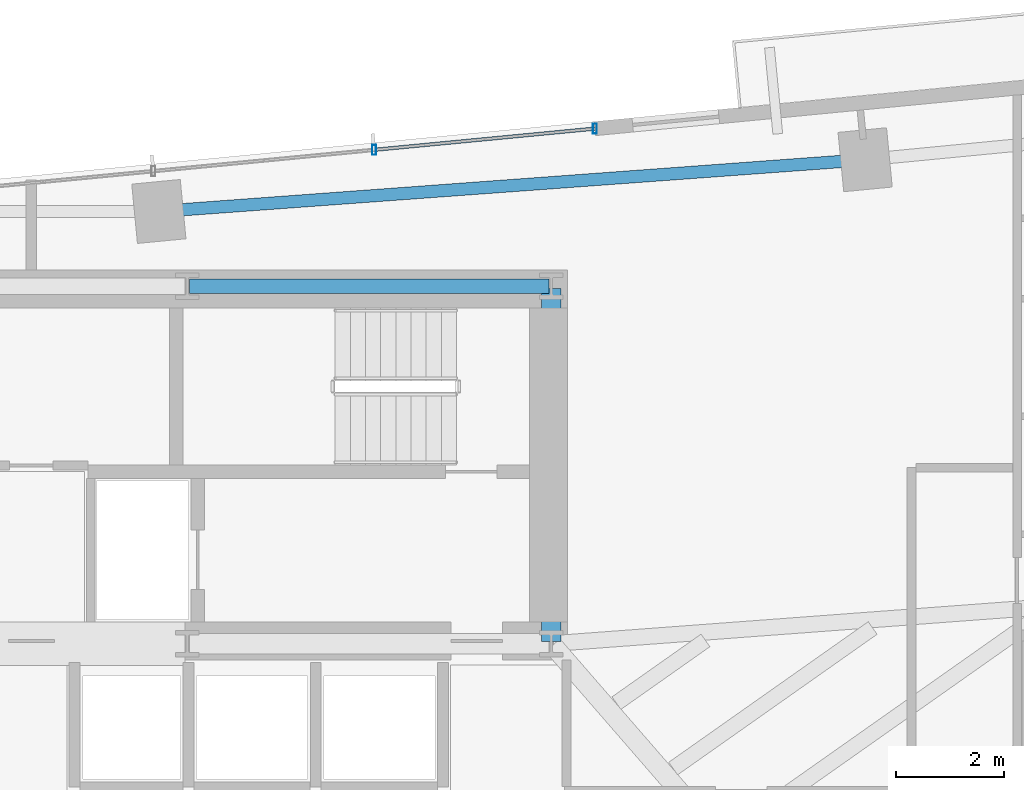
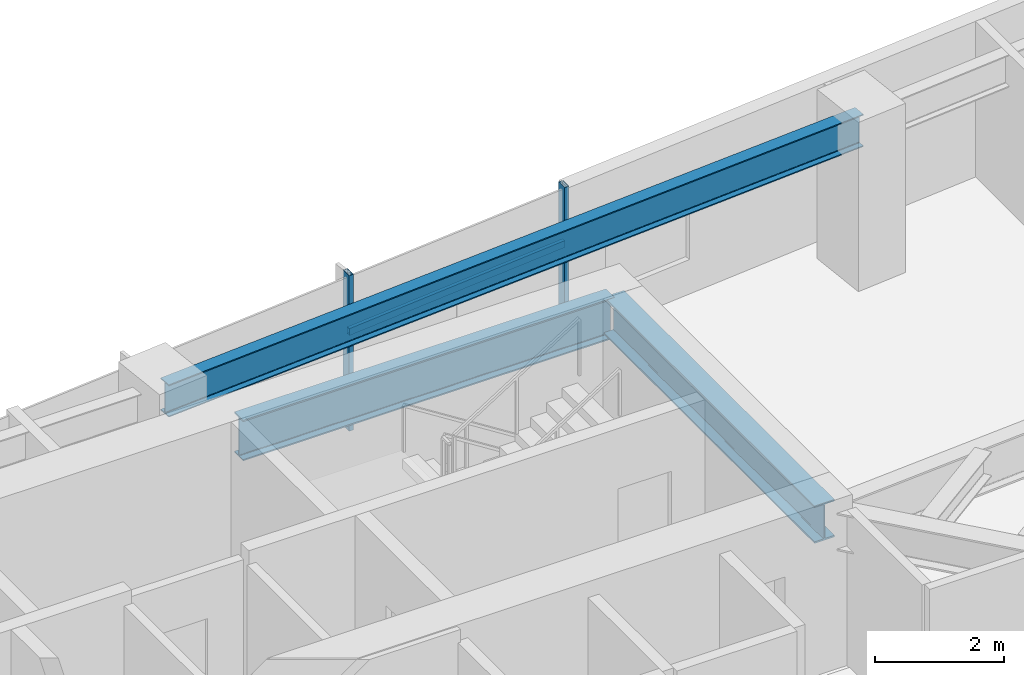
# One storey, part 17 of 27: 3 beams, 3 members, 1 element without a shape of its own.
"""IFC4 building model written with IfcOpenShell, lengths in metres."""

from ifc_helpers import new_model, si_unit, direction, frame, origin, origin_2d, place, context, subcontext, project, spatial, hollow_rectangle, i_section, extrude, source, transform, mapped, material, material_profile, profile_set, type_object, type_shapes, element, aggregate, save


model = new_model("IFC4")

# Units and contexts
model_context = context("Model", 3, precision=1e-05, world=origin(), true_north=direction((0.0, 1.0)))
body_context = subcontext(model_context, "Body", "Model", "MODEL_VIEW")
ifc_project = project(units=[si_unit("LENGTHUNIT", "METRE"), si_unit("AREAUNIT", "SQUARE_METRE"), si_unit("VOLUMEUNIT", "CUBIC_METRE"), si_unit("PLANEANGLEUNIT", "RADIAN"), si_unit("MASSUNIT", "GRAM", prefix="KILO")], contexts=[model_context])

# Site, building, storey
site_placement = place(None, origin())
site = spatial("IfcSite", under=ifc_project, at=site_placement, CompositionType="ELEMENT")
building_placement = place(site_placement, origin())
building = spatial("IfcBuilding", under=site, at=building_placement, Name="Astriad Promenade Condominiums", CompositionType="ELEMENT")
storey_placement = place(building_placement, frame((0.0, 0.0, 93.800048828125)))
storey = spatial("IfcBuildingStorey", under=building, at=storey_placement, Name="L26", CompositionType="ELEMENT", Elevation=93.800048828125)

# Beams
ifc_material_1 = material(Name="Steel ASTM A992 Grade 50", Category="steel")
ifc_material_profile_1 = material_profile(ifc_material_1, i_section(OverallWidth=0.267822265625, OverallDepth=0.76953125, WebThickness=0.015625, FlangeThickness=0.025390625, FilletRadius=0.021484375, at=origin_2d()), Name="W30X132")
ifc_profile_set_1 = profile_set([ifc_material_profile_1], Name="Steel ASTM A992 Grade 50")
beam_type_1 = type_object("IfcBeamType", Name="STEEL FLOOR GIRDER W30X132", PredefinedType="BEAM", material=ifc_profile_set_1)
shared_shape_1 = source(origin(), body_context, "Body", "SweptSolid", [
    extrude(i_section(OverallWidth=0.267822265625, OverallDepth=0.76953125, WebThickness=0.015625, FlangeThickness=0.025390625, FilletRadius=0.021484375, at=origin_2d()), origin(), (0.0, 0.0, 1.0), 6.64013671875),
])
type_shapes(beam_type_1, [shared_shape_1])
beam_1_placement = place(storey_placement, frame((38.919921875, 24.0, 2.55517578125), z_axis=(1.0, 0.0, 0.0), x_axis=(0.0, 1.0, 0.0)))
element("IfcBeam", 1, at=beam_1_placement, inside=storey, type_object=beam_type_1, Name="Core Ring Beam CG-N3-L26", PredefinedType="BEAM", context=body_context, shape_type="MappedRepresentation", body=[
    mapped(shared_shape_1, transform((0.0, 0.0, 0.0), scale=1.0)),
])
ifc_material_profile_2 = material_profile(ifc_material_1, i_section(OverallWidth=0.35791015625, OverallDepth=0.706298828125, WebThickness=0.018310546875, FlangeThickness=0.0302734375, FilletRadius=0.020263671875, at=origin_2d()), Name="W27X178")
ifc_profile_set_2 = profile_set([ifc_material_profile_2], Name="Steel ASTM A992 Grade 50")
beam_type_2 = type_object("IfcBeamType", Name="STEEL FLOOR GIRDER W27X178", PredefinedType="BEAM", material=ifc_profile_set_2)
shared_shape_2 = source(origin(), body_context, "Body", "SweptSolid", [
    extrude(i_section(OverallWidth=0.35791015625, OverallDepth=0.706298828125, WebThickness=0.018310546875, FlangeThickness=0.0302734375, FilletRadius=0.020263671875, at=origin_2d()), origin(), (0.0, 0.0, 1.0), 6.52001953125),
])
type_shapes(beam_type_2, [shared_shape_2])
beam_2_placement = place(storey_placement, frame((45.60009765625, 17.43994140625, 2.586669921875), z_axis=(0.0, 1.0, 0.0), x_axis=(-1.0, 0.0, 0.0)))
element("IfcBeam", 2, at=beam_2_placement, inside=storey, type_object=beam_type_2, Name="Core Ring Beam CG-E1-L26", PredefinedType="BEAM", context=body_context, shape_type="MappedRepresentation", body=[
    mapped(shared_shape_2, transform((0.0, 0.0, 0.0), scale=1.0)),
])
ifc_material_profile_3 = material_profile(ifc_material_1, i_section(OverallWidth=0.22900390625, OverallDepth=0.612060546875, WebThickness=0.011962890625, FlangeThickness=0.01953125, FilletRadius=0.017822265625, at=origin_2d()), Name="W24X84")
ifc_profile_set_3 = profile_set([ifc_material_profile_3], Name="Steel ASTM A992 Grade 50")
beam_type_3 = type_object("IfcBeamType", Name="STEEL SPANDREL BEAM W24X84", PredefinedType="SPANDREL", material=ifc_profile_set_3)
shared_shape_3 = source(origin(), body_context, "Body", "SweptSolid", [
    extrude(i_section(OverallWidth=0.22900390625, OverallDepth=0.612060546875, WebThickness=0.011962890625, FlangeThickness=0.01953125, FilletRadius=0.017822265625, at=origin_2d()), origin(), (0.0, 0.0, 1.0), 12.99462890625),
])
type_shapes(beam_type_3, [shared_shape_3])
beam_3_placement = place(storey_placement, frame((51.3544921875, 26.33203125, 2.6337890625), z_axis=(-0.997328518297, -0.073046742505, 0.0), x_axis=(0.073046742505, -0.997328518297, 0.0)))
element("IfcBeam", 3, at=beam_3_placement, inside=storey, type_object=beam_type_3, Name="Perimeter Spandrel Beam SP-N3-L26", PredefinedType="SPANDREL", context=body_context, shape_type="MappedRepresentation", body=[
    mapped(shared_shape_3, transform((0.0, 0.0, 0.0), scale=1.0)),
])

# Curtain wall, members
ifc_material_2 = material(Name="Anodised aluminium Black Dark Glass Unitised", Category="aluminium")
curtain_wall_type = type_object("IfcCurtainWallType", Name="CW-B2-DARK", PredefinedType="USERDEFINED", material=ifc_material_2)
curtain_wall_placement = place(storey_placement, origin())
curtain_wall = element("IfcCurtainWall", 4, at=curtain_wall_placement, inside=storey, type_object=curtain_wall_type, Name="CW-L26-N", ObjectType="UNITISED_CURTAIN_WALL", PredefinedType="USERDEFINED")
ifc_material_3 = material(Name="Anodised aluminium 6063-T6 Black", Category="aluminium")
ifc_material_profile_4 = material_profile(ifc_material_3, hollow_rectangle(XDim=0.074951171875, YDim=0.18505859375, WallThickness=0.00439453125, at=origin_2d()), Name="ALU-MUL-75X185")
ifc_profile_set_4 = profile_set([ifc_material_profile_4], Name="Anodised aluminium 6063-T6 Black")
member_type_1 = type_object("IfcMemberType", Name="MUL-ALU-MUL-75X185", PredefinedType="MULLION", material=ifc_profile_set_4)
shared_shape_4 = source(origin(), body_context, "Body", "SweptSolid", [
    extrude(hollow_rectangle(XDim=0.074951171875, YDim=0.18505859375, WallThickness=0.00439453125, at=origin_2d()), origin(), (0.0, 0.0, 1.0), 2.93994140625),
])
type_shapes(member_type_1, [shared_shape_4])
member_1_placement = place(storey_placement, frame((42.330078125, 26.51708984375, 0.0), z_axis=(0.0, 0.0, 1.0), x_axis=(1.0, 0.0, 0.0)))
member_1 = element("IfcMember", 5, at=member_1_placement, type_object=member_type_1, Name="CW-L26-N-MUL-03", PredefinedType="MULLION", context=body_context, shape_type="MappedRepresentation", body=[
    mapped(shared_shape_4, transform((0.0, 0.0, 0.0), scale=1.0)),
])
member_2_placement = place(storey_placement, frame((46.40625, 26.90966796875, 0.0), z_axis=(0.0, 0.0, 1.0), x_axis=(1.0, 0.0, 0.0)))
member_2 = element("IfcMember", 6, at=member_2_placement, type_object=member_type_1, Name="CW-L26-N-MUL-04", PredefinedType="MULLION", context=body_context, shape_type="MappedRepresentation", body=[
    mapped(shared_shape_4, transform((0.0, 0.0, 0.0), scale=1.0)),
])
ifc_material_profile_5 = material_profile(ifc_material_3, hollow_rectangle(XDim=0.06494140625, YDim=0.1298828125, WallThickness=0.00390625, at=origin_2d()), Name="ALU-TRN-65X130")
ifc_profile_set_5 = profile_set([ifc_material_profile_5], Name="Anodised aluminium 6063-T6 Black")
member_type_2 = type_object("IfcMemberType", Name="TRN-ALU-TRN-65X130", PredefinedType="USERDEFINED", material=ifc_profile_set_5)
shared_shape_5 = source(origin(), body_context, "Body", "SweptSolid", [
    extrude(hollow_rectangle(XDim=0.06494140625, YDim=0.1298828125, WallThickness=0.00390625, at=origin_2d()), origin(), (0.0, 0.0, 1.0), 4.094970703125),
])
type_shapes(member_type_2, [shared_shape_5])
member_3_placement = place(storey_placement, frame((42.330078125, 26.51708984375, 1.82275390625), z_axis=(0.995394161585, 0.09586690296, 0.0), x_axis=(-0.09586690296, 0.995394161585, 0.0)))
member_3 = element("IfcMember", 7, at=member_3_placement, type_object=member_type_2, Name="CW-L26-N-TRN-03-0", ObjectType="TRANSOM", PredefinedType="USERDEFINED", context=body_context, shape_type="MappedRepresentation", body=[
    mapped(shared_shape_5, transform((0.0, 0.0, 0.0), scale=1.0)),
])
aggregate(curtain_wall, [member_1, member_2, member_3])

save(model, "model.ifc")
